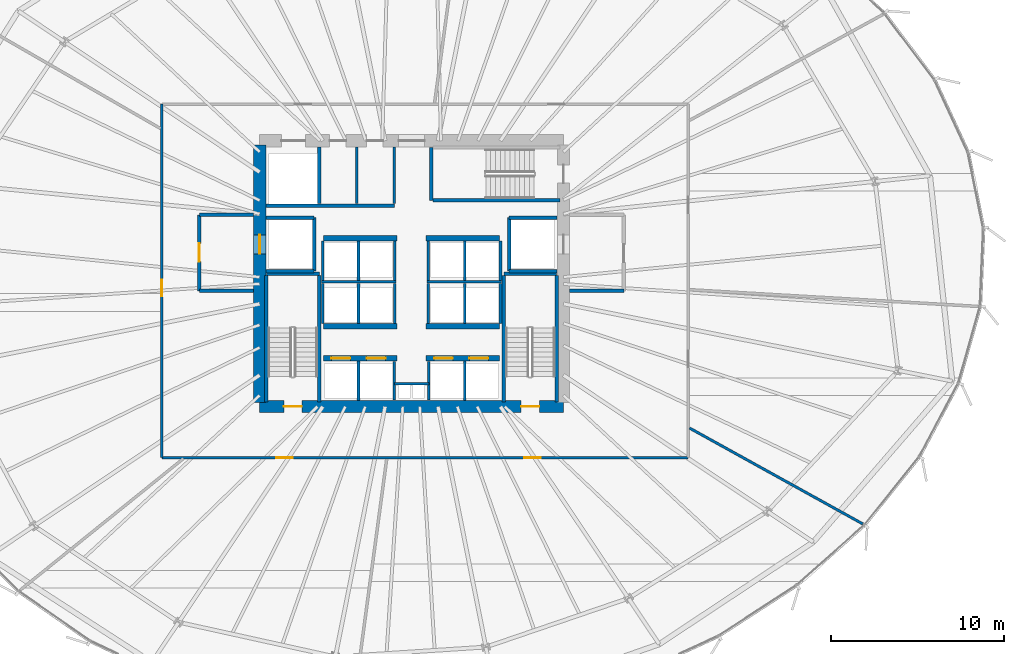
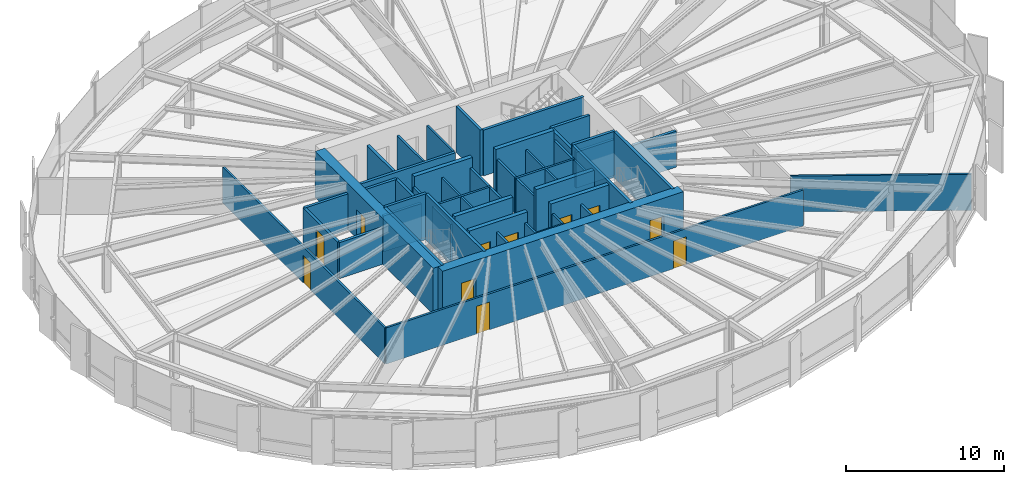
# One storey, part 30 of 37: 52 walls, 11 doors, 11 openings.
"""IFC4 building model written with IfcOpenShell, lengths in metres."""

from ifc_helpers import new_model, si_unit, direction, frame, frame_2d, origin, place, context, subcontext, project, spatial, rectangle, extrude, source, transform, mapped, material, layer, layer_set, type_object, element, fill, save


model = new_model("IFC4")

# Units and contexts
model_context = context("Model", 3, precision=1e-05, world=origin(), true_north=direction((0.0, 1.0)))
body_context = subcontext(model_context, "Body", "Model", "MODEL_VIEW")
ifc_project = project(units=[si_unit("LENGTHUNIT", "METRE"), si_unit("AREAUNIT", "SQUARE_METRE"), si_unit("VOLUMEUNIT", "CUBIC_METRE"), si_unit("PLANEANGLEUNIT", "RADIAN"), si_unit("MASSUNIT", "GRAM", prefix="KILO"), si_unit("THERMODYNAMICTEMPERATUREUNIT", "KELVIN")], contexts=[model_context])

# Site, building, storey
site_placement = place(None, origin())
site = spatial("IfcSite", under=ifc_project, at=site_placement, CompositionType="ELEMENT")
building_placement = place(site_placement, origin())
building = spatial("IfcBuilding", under=site, at=building_placement, Name="Kethvar Cultural Tower", CompositionType="ELEMENT")
storey_placement = place(building_placement, frame((0.0, 0.0, 48.60009765625)))
storey = spatial("IfcBuildingStorey", under=building, at=storey_placement, Name="L11", CompositionType="ELEMENT", Elevation=48.60009765625)

# Wall, openings, doors
ifc_material_1 = material(Name="Concrete C60/75", Category="concrete")
ifc_layer_1 = layer(ifc_material_1, 0.699951171875, Name="Concrete C60/75", Category="concrete")
ifc_layer_set_1 = layer_set([ifc_layer_1], Name="Concrete C60/75 (700 mm)")
wall_type_1 = type_object("IfcWallType", Name="WL-CORE-700", PredefinedType="SHEAR", material=ifc_layer_set_1)
wall_1_placement = place(storey_placement, frame((38.0, 20.10009765625, 0.0), z_axis=(0.0, 0.0, 1.0), x_axis=(1.0, 0.0, 0.0)))
wall_1 = element("IfcWall", 1, at=wall_1_placement, inside=storey, type_object=wall_type_1, Name="L11 Core Shear Wall S", PredefinedType="SHEAR", context=body_context, shape_type="SweptSolid", body=[
    extrude(rectangle(XDim=17.60009765625, YDim=0.699951171875, at=frame_2d((8.800048828125, 0.0))), origin(), (0.0, 0.0, 1.0), 3.5498046875),
])
opening_1_placement = place(wall_1_placement, frame((1.39990234375, 0.0, 0.0)))
opening_1 = element("IfcOpeningElement", 2, at=opening_1_placement, cuts=wall_1, Name="Opening D-L11-S1", PredefinedType="OPENING", context=body_context, shape_type="SweptSolid", body=[
    extrude(rectangle(XDim=1.050048828125, YDim=2.14990234375, at=frame_2d((0.52490234375, 1.074951171875))), frame((0.0, 0.35986328125, 0.0), z_axis=(0.0, -1.0, 0.0), x_axis=(1.0, 0.0, 0.0)), (0.0, 0.0, 1.0), 0.719970703125),
])
opening_2_placement = place(wall_1_placement, frame((15.14990234375, 0.0, 0.0)))
opening_2 = element("IfcOpeningElement", 3, at=opening_2_placement, cuts=wall_1, Name="Opening D-L11-ST2", PredefinedType="OPENING", context=body_context, shape_type="SweptSolid", body=[
    extrude(rectangle(XDim=1.050048828125, YDim=2.14990234375, at=frame_2d((0.52490234375, 1.074951171875))), frame((0.0, 0.35986328125, 0.0), z_axis=(0.0, -1.0, 0.0), x_axis=(1.0, 0.0, 0.0)), (0.0, 0.0, 1.0), 0.719970703125),
])
ifc_material_2 = material(Name="Steel S355J2", Category="steel")
door_type_1 = type_object("IfcDoorType", Name="DR-FD60-1050", OperationType="NOTDEFINED", PredefinedType="DOOR", material=ifc_material_2)
shared_shape_1 = source(origin(), body_context, "Body", "SweptSolid", [
    extrude(rectangle(XDim=1.050048828125, YDim=2.14990234375, at=frame_2d((0.52490234375, 1.074951171875))), frame((0.0, 0.02490234375, 0.0), z_axis=(0.0, -1.0, 0.0), x_axis=(1.0, 0.0, 0.0)), (0.0, 0.0, 1.0), 0.050048828125),
])
door_1_placement = place(opening_1_placement, origin())
door_1 = element("IfcDoor", 4, at=door_1_placement, inside=storey, type_object=door_type_1, Name="L11 Exit Stair 1 Door", OperationType="SINGLE_SWING_LEFT", OverallHeight=2.14990234375, OverallWidth=1.050048828125, PredefinedType="DOOR", context=body_context, shape_type="MappedRepresentation", body=[
    mapped(shared_shape_1, transform((0.0, 0.0, 0.0), scale=1.0)),
])
fill(opening_1, door_1)
door_2_placement = place(opening_2_placement, origin())
door_2 = element("IfcDoor", 5, at=door_2_placement, inside=storey, type_object=door_type_1, Name="L11 Exit Stair 2 Door", OperationType="SINGLE_SWING_RIGHT", OverallHeight=2.14990234375, OverallWidth=1.050048828125, PredefinedType="DOOR", context=body_context, shape_type="MappedRepresentation", body=[
    mapped(shared_shape_1, transform((0.0, 0.0, 0.0), scale=1.0)),
])
fill(opening_2, door_2)

# Wall, opening, door
wall_2_placement = place(storey_placement, frame((38.0, 35.260009765625, 0.0), z_axis=(0.0, 0.0, 1.0), x_axis=(0.0, -1.0, 0.0)))
wall_2 = element("IfcWall", 6, at=wall_2_placement, inside=storey, type_object=wall_type_1, Name="L11 Core Shear Wall W", PredefinedType="SHEAR", context=body_context, shape_type="SweptSolid", body=[
    extrude(rectangle(XDim=14.919921875, YDim=0.699951171875, at=frame_2d((7.4599609375, 0.0))), origin(), (0.0, 0.0, 1.0), 3.5498046875),
])
opening_3_placement = place(wall_2_placement, frame((5.2099609375, 0.0, 0.0)))
opening_3 = element("IfcOpeningElement", 7, at=opening_3_placement, cuts=wall_2, Name="Opening LD-1", PredefinedType="OPENING", context=body_context, shape_type="SweptSolid", body=[
    extrude(rectangle(XDim=1.10009765625, YDim=2.199951171875, at=frame_2d((0.550048828125, 1.10009765625))), frame((0.0, 0.35986328125, 0.0), z_axis=(0.0, -1.0, 0.0), x_axis=(1.0, 0.0, 0.0)), (0.0, 0.0, 1.0), 0.719970703125),
])
door_type_2 = type_object("IfcDoorType", Name="DR-LIFT-SLIDE-1100", OperationType="NOTDEFINED", PredefinedType="DOOR", material=ifc_material_2)
shared_shape_2 = source(origin(), body_context, "Body", "SweptSolid", [
    extrude(rectangle(XDim=1.10009765625, YDim=2.199951171875, at=frame_2d((0.550048828125, 1.10009765625))), frame((0.0, 0.02490234375, 0.0), z_axis=(0.0, -1.0, 0.0), x_axis=(1.0, 0.0, 0.0)), (0.0, 0.0, 1.0), 0.050048828125),
])
door_3_placement = place(opening_3_placement, origin())
door_3 = element("IfcDoor", 8, at=door_3_placement, inside=storey, type_object=door_type_2, Name="L11 Firefighting Lift Landing Door FFL-01", OperationType="SLIDING_TO_LEFT", OverallHeight=2.199951171875, OverallWidth=1.10009765625, PredefinedType="DOOR", context=body_context, shape_type="MappedRepresentation", body=[
    mapped(shared_shape_2, transform((0.0, 0.0, 0.0), scale=1.0)),
])
fill(opening_3, door_3)

# Walls
ifc_material_3 = material(Name="Gypsum Fireboard Partition")
ifc_layer_2 = layer(ifc_material_3, 0.14990234375, Name="Gypsum Fireboard Partition")
ifc_layer_set_2 = layer_set([ifc_layer_2], Name="Gypsum Fireboard Partition (150 mm)")
wall_type_2 = type_object("IfcWallType", Name="WL-FIRE-150", PredefinedType="PARTITIONING", material=ifc_layer_set_2)
wall_3_placement = place(storey_placement, frame((45.800048828125, 21.419921875, 0.0), z_axis=(0.0, 0.0, 1.0), x_axis=(1.0, 0.0, 0.0)))
element("IfcWall", 9, at=wall_3_placement, inside=storey, type_object=wall_type_2, Name="L11 Core Riser Wall", PredefinedType="PARTITIONING", context=body_context, shape_type="SweptSolid", body=[
    extrude(rectangle(XDim=2.0, YDim=0.14990234375, at=frame_2d((1.0, 0.0))), origin(), (0.0, 0.0, 1.0), 2.784912109375),
])
for number, where, z_axis, x_axis, name in (
    (10, (45.800048828125, 20.47998046875, 0.0), (0.0, 0.0, 1.0), (0.0, 1.0, 0.0), "L11 Core Riser West Wall"),
    (11, (47.800048828125, 20.47998046875, 0.0), (0.0, 0.0, 1.0), (0.0, 1.0, 0.0), "L11 Core Riser East Wall"),
):
    element("IfcWall", number, at=place(storey_placement, frame(where, z_axis=z_axis, x_axis=x_axis)), inside=storey, type_object=wall_type_2, Name=name, PredefinedType="PARTITIONING", context=body_context, shape_type="SweptSolid", body=[
        extrude(rectangle(XDim=2.239990234375, YDim=0.14990234375, at=frame_2d((1.1201171875, 0.0))), origin(), (0.0, 0.0, 1.0), 2.784912109375),
    ])
for number, where, z_axis, x_axis, name in (
    (12, (43.72509765625, 20.4599609375, 0.0), (0.0, 0.0, 1.0), (0.0, 1.0, 0.0), "L11 Low-Rise Lift Shaft Divider W"),
    (13, (49.875, 20.4599609375, 0.0), (0.0, 0.0, 1.0), (0.0, 1.0, 0.0), "L11 Low-Rise Lift Shaft Divider E"),
):
    element("IfcWall", number, at=place(storey_placement, frame(where, z_axis=z_axis, x_axis=x_axis)), inside=storey, type_object=wall_type_2, Name=name, PredefinedType="PARTITIONING", context=body_context, shape_type="SweptSolid", body=[
        extrude(rectangle(XDim=2.27001953125, YDim=0.14990234375, at=frame_2d((1.135009765625, 0.0))), origin(), (0.0, 0.0, 1.0), 2.784912109375),
    ])
wall_4_placement = place(storey_placement, frame((41.580078125, 27.324951171875, 0.0), z_axis=(0.0, 0.0, 1.0), x_axis=(1.0, 0.0, 0.0)))
element("IfcWall", 14, at=wall_4_placement, inside=storey, type_object=wall_type_2, Name="L11 Mid-High Lift Shaft Back Wall W", PredefinedType="PARTITIONING", context=body_context, shape_type="SweptSolid", body=[
    extrude(rectangle(XDim=4.31982421875, YDim=0.14990234375, at=frame_2d((2.159912109375, 0.0))), origin(), (0.0, 0.0, 1.0), 2.784912109375),
])
wall_5_placement = place(storey_placement, frame((47.699951171875, 27.324951171875, 0.0), z_axis=(0.0, 0.0, 1.0), x_axis=(1.0, 0.0, 0.0)))
element("IfcWall", 15, at=wall_5_placement, inside=storey, type_object=wall_type_2, Name="L11 Mid-High Lift Shaft Back Wall E", PredefinedType="PARTITIONING", context=body_context, shape_type="SweptSolid", body=[
    extrude(rectangle(XDim=4.320068359375, YDim=0.14990234375, at=frame_2d((2.16015625, 0.0))), origin(), (0.0, 0.0, 1.0), 2.784912109375),
])
for number, where, z_axis, x_axis, name in (
    (16, (41.64990234375, 24.919921875, 0.0), (0.0, 0.0, 1.0), (0.0, 1.0, 0.0), "L11 Mid-Rise Lift Shaft Outer Wall W"),
    (17, (43.72509765625, 24.919921875, 0.0), (0.0, 0.0, 1.0), (0.0, 1.0, 0.0), "L11 Mid-Rise Lift Shaft Divider W"),
    (18, (45.824951171875, 24.919921875, 0.0), (0.0, 0.0, 1.0), (0.0, 1.0, 0.0), "L11 Mid-Rise Lift Shaft Concourse Wall W"),
    (19, (47.77490234375, 24.919921875, 0.0), (0.0, 0.0, 1.0), (0.0, 1.0, 0.0), "L11 Mid-Rise Lift Shaft Concourse Wall E"),
    (20, (49.875, 24.919921875, 0.0), (0.0, 0.0, 1.0), (0.0, 1.0, 0.0), "L11 Mid-Rise Lift Shaft Divider E"),
    (21, (51.949951171875, 24.919921875, 0.0), (0.0, 0.0, 1.0), (0.0, 1.0, 0.0), "L11 Mid-Rise Lift Shaft Outer Wall E"),
):
    element("IfcWall", number, at=place(storey_placement, frame(where, z_axis=z_axis, x_axis=x_axis)), inside=storey, type_object=wall_type_2, Name=name, PredefinedType="PARTITIONING", context=body_context, shape_type="SweptSolid", body=[
        extrude(rectangle(XDim=2.320068359375, YDim=0.14990234375, at=frame_2d((1.16015625, 0.0))), origin(), (0.0, 0.0, 1.0), 2.784912109375),
    ])
for number, where, z_axis, x_axis, name in (
    (22, (41.64990234375, 27.409912109375, 0.0), (0.0, 0.0, 1.0), (0.0, 1.0, 0.0), "L11 High-Rise Lift Shaft Outer Wall W"),
    (23, (43.72509765625, 27.409912109375, 0.0), (0.0, 0.0, 1.0), (0.0, 1.0, 0.0), "L11 High-Rise Lift Shaft Divider W"),
    (24, (45.824951171875, 27.409912109375, 0.0), (0.0, 0.0, 1.0), (0.0, 1.0, 0.0), "L11 High-Rise Lift Shaft Concourse Wall W"),
    (25, (47.77490234375, 27.409912109375, 0.0), (0.0, 0.0, 1.0), (0.0, 1.0, 0.0), "L11 High-Rise Lift Shaft Concourse Wall E"),
    (26, (49.875, 27.409912109375, 0.0), (0.0, 0.0, 1.0), (0.0, 1.0, 0.0), "L11 High-Rise Lift Shaft Divider E"),
    (27, (51.949951171875, 27.409912109375, 0.0), (0.0, 0.0, 1.0), (0.0, 1.0, 0.0), "L11 High-Rise Lift Shaft Outer Wall E"),
):
    element("IfcWall", number, at=place(storey_placement, frame(where, z_axis=z_axis, x_axis=x_axis)), inside=storey, type_object=wall_type_2, Name=name, PredefinedType="PARTITIONING", context=body_context, shape_type="SweptSolid", body=[
        extrude(rectangle(XDim=2.27001953125, YDim=0.14990234375, at=frame_2d((1.135009765625, 0.0))), origin(), (0.0, 0.0, 1.0), 2.784912109375),
    ])
wall_6_placement = place(storey_placement, frame((45.800048828125, 31.85009765625, 0.0), z_axis=(0.0, 0.0, 1.0), x_axis=(0.0, 1.0, 0.0)))
element("IfcWall", 28, at=wall_6_placement, inside=storey, type_object=wall_type_2, Name="L11 Sanitary Spine Wall", PredefinedType="PARTITIONING", context=body_context, shape_type="SweptSolid", body=[
    extrude(rectangle(XDim=3.289794921875, YDim=0.14990234375, at=frame_2d((1.64501953125, 0.0))), origin(), (0.0, 0.0, 1.0), 2.784912109375),
])

# Wall, openings, doors
wall_7_placement = place(storey_placement, frame((32.330078125, 17.139892578125, 0.0), z_axis=(0.0, 0.0, 1.0), x_axis=(1.0, 0.0, 0.0)))
wall_7 = element("IfcWall", 29, at=wall_7_placement, inside=storey, type_object=wall_type_2, Name="L11 Corridor Rated Wall S", PredefinedType="PARTITIONING", context=body_context, shape_type="SweptSolid", body=[
    extrude(rectangle(XDim=30.5, YDim=0.14990234375, at=frame_2d((15.25, 0.0))), origin(), (0.0, 0.0, 1.0), 2.784912109375),
])
opening_4_placement = place(wall_7_placement, frame((6.62109375, 0.0, 0.0)))
opening_4 = element("IfcOpeningElement", 30, at=opening_4_placement, cuts=wall_7, Name="Opening D-L11-01", PredefinedType="OPENING", context=body_context, shape_type="SweptSolid", body=[
    extrude(rectangle(XDim=0.949951171875, YDim=2.14990234375, at=frame_2d((0.47509765625, 1.074951171875))), frame((0.0, 0.0849609375, 0.0), z_axis=(0.0, -1.0, 0.0), x_axis=(1.0, 0.0, 0.0)), (0.0, 0.0, 1.0), 0.169921875),
])
opening_5_placement = place(wall_7_placement, frame((21.00390625, 0.0, 0.0)))
opening_5 = element("IfcOpeningElement", 31, at=opening_5_placement, cuts=wall_7, Name="Opening D-L11-02", PredefinedType="OPENING", context=body_context, shape_type="SweptSolid", body=[
    extrude(rectangle(XDim=0.949951171875, YDim=2.14990234375, at=frame_2d((0.47509765625, 1.074951171875))), frame((0.0, 0.0849609375, 0.0), z_axis=(0.0, -1.0, 0.0), x_axis=(1.0, 0.0, 0.0)), (0.0, 0.0, 1.0), 0.169921875),
])
ifc_material_4 = material(Name="Architectural Oak Timber", Category="wood")
door_type_3 = type_object("IfcDoorType", Name="DR-FD30-950", OperationType="NOTDEFINED", PredefinedType="DOOR", material=ifc_material_4)
shared_shape_3 = source(origin(), body_context, "Body", "SweptSolid", [
    extrude(rectangle(XDim=0.949951171875, YDim=2.14990234375, at=frame_2d((0.47509765625, 1.074951171875))), frame((0.0, 0.02490234375, 0.0), z_axis=(0.0, -1.0, 0.0), x_axis=(1.0, 0.0, 0.0)), (0.0, 0.0, 1.0), 0.050048828125),
])
door_4_placement = place(opening_4_placement, origin())
door_4 = element("IfcDoor", 32, at=door_4_placement, inside=storey, type_object=door_type_3, Name="L11 Institutional Tenant Office 01 Door", OperationType="SINGLE_SWING_RIGHT", OverallHeight=2.14990234375, OverallWidth=0.949951171875, PredefinedType="DOOR", context=body_context, shape_type="MappedRepresentation", body=[
    mapped(shared_shape_3, transform((0.0, 0.0, 0.0), scale=1.0)),
])
fill(opening_4, door_4)
door_5_placement = place(opening_5_placement, origin())
door_5 = element("IfcDoor", 33, at=door_5_placement, inside=storey, type_object=door_type_3, Name="L11 Editorial Partner Office 02 Door", OperationType="SINGLE_SWING_LEFT", OverallHeight=2.14990234375, OverallWidth=0.949951171875, PredefinedType="DOOR", context=body_context, shape_type="MappedRepresentation", body=[
    mapped(shared_shape_3, transform((0.0, 0.0, 0.0), scale=1.0)),
])
fill(opening_5, door_5)

# Wall, opening, door
wall_8_placement = place(storey_placement, frame((32.330078125, 37.6201171875, 0.0), z_axis=(0.0, 0.0, 1.0), x_axis=(0.0, -1.0, 0.0)))
wall_8 = element("IfcWall", 34, at=wall_8_placement, inside=storey, type_object=wall_type_2, Name="L11 Corridor Rated Wall W", PredefinedType="PARTITIONING", context=body_context, shape_type="SweptSolid", body=[
    extrude(rectangle(XDim=20.480224609375, YDim=0.14990234375, at=frame_2d((10.240234375, 0.0))), origin(), (0.0, 0.0, 1.0), 2.784912109375),
])
opening_6_placement = place(wall_8_placement, frame((10.182373046875, 0.0, 0.0)))
opening_6 = element("IfcOpeningElement", 35, at=opening_6_placement, cuts=wall_8, Name="Opening D-L11-07", PredefinedType="OPENING", context=body_context, shape_type="SweptSolid", body=[
    extrude(rectangle(XDim=0.949951171875, YDim=2.14990234375, at=frame_2d((0.47509765625, 1.074951171875))), frame((0.0, 0.0849609375, 0.0), z_axis=(0.0, -1.0, 0.0), x_axis=(1.0, 0.0, 0.0)), (0.0, 0.0, 1.0), 0.169921875),
])
door_6_placement = place(opening_6_placement, origin())
door_6 = element("IfcDoor", 36, at=door_6_placement, inside=storey, type_object=door_type_3, Name="L11 Curatorial Concierge Foyer 07 Door", OperationType="SINGLE_SWING_RIGHT", OverallHeight=2.14990234375, OverallWidth=0.949951171875, PredefinedType="DOOR", context=body_context, shape_type="MappedRepresentation", body=[
    mapped(shared_shape_3, transform((0.0, 0.0, 0.0), scale=1.0)),
])
fill(opening_6, door_6)

# Walls
ifc_material_5 = material(Name="Concrete C40/50", Category="concrete")
ifc_layer_3 = layer(ifc_material_5, 0.199951171875, Name="Concrete C40/50", Category="concrete")
ifc_layer_set_3 = layer_set([ifc_layer_3], Name="Concrete C40/50 (200 mm)")
wall_type_3 = type_object("IfcWallType", Name="WL-FIRE-200", PredefinedType="PARTITIONING", material=ifc_layer_set_3)
wall_9_placement = place(storey_placement, frame((41.14990234375, 27.949951171875, 0.0), z_axis=(0.0, 0.0, 1.0), x_axis=(0.0, 1.0, 0.0)))
element("IfcWall", 37, at=wall_9_placement, inside=storey, type_object=wall_type_3, Name="L11 FFL-01 Shaft Inner Wall", PredefinedType="PARTITIONING", context=body_context, shape_type="SweptSolid", body=[
    extrude(rectangle(XDim=3.10009765625, YDim=0.199951171875, at=frame_2d((1.550048828125, 0.0))), origin(), (0.0, 0.0, 1.0), 2.784912109375),
])
for number, where, z_axis, x_axis, name in (
    (38, (38.360107421875, 27.949951171875, 0.0), (0.0, 0.0, 1.0), (1.0, 0.0, 0.0), "L11 FFL-01 Shaft South Wall"),
    (39, (38.360107421875, 31.050048828125, 0.0), (0.0, 0.0, 1.0), (1.0, 0.0, 0.0), "L11 FFL-01 Shaft North Wall"),
):
    element("IfcWall", number, at=place(storey_placement, frame(where, z_axis=z_axis, x_axis=x_axis)), inside=storey, type_object=wall_type_3, Name=name, PredefinedType="PARTITIONING", context=body_context, shape_type="SweptSolid", body=[
        extrude(rectangle(XDim=2.789794921875, YDim=0.199951171875, at=frame_2d((1.39501953125, 0.0))), origin(), (0.0, 0.0, 1.0), 2.784912109375),
    ])

# Wall, opening, door
wall_10_placement = place(storey_placement, frame((34.5, 31.199951171875, 0.0), z_axis=(0.0, 0.0, 1.0), x_axis=(0.0, -1.0, 0.0)))
wall_10 = element("IfcWall", 40, at=wall_10_placement, inside=storey, type_object=wall_type_3, Name="L11 Firefighting Lobby 1 Wall", PredefinedType="PARTITIONING", context=body_context, shape_type="SweptSolid", body=[
    extrude(rectangle(XDim=4.39990234375, YDim=0.199951171875, at=frame_2d((2.199951171875, 0.0))), origin(), (0.0, 0.0, 1.0), 2.784912109375),
])
opening_7_placement = place(wall_10_placement, frame((1.64990234375, 0.0, 0.0)))
opening_7 = element("IfcOpeningElement", 41, at=opening_7_placement, cuts=wall_10, Name="Opening D-L11-F1", PredefinedType="OPENING", context=body_context, shape_type="SweptSolid", body=[
    extrude(rectangle(XDim=1.050048828125, YDim=2.14990234375, at=frame_2d((0.52490234375, 1.074951171875))), frame((0.0, 0.10986328125, 0.0), z_axis=(0.0, -1.0, 0.0), x_axis=(1.0, 0.0, 0.0)), (0.0, 0.0, 1.0), 0.219970703125),
])
door_7_placement = place(opening_7_placement, origin())
door_7 = element("IfcDoor", 42, at=door_7_placement, inside=storey, type_object=door_type_1, Name="L11 Firefighting Lobby 1 Fire Door", OperationType="SINGLE_SWING_LEFT", OverallHeight=2.14990234375, OverallWidth=1.050048828125, PredefinedType="DOOR", context=body_context, shape_type="MappedRepresentation", body=[
    mapped(shared_shape_1, transform((0.0, 0.0, 0.0), scale=1.0)),
])
fill(opening_7, door_7)

# Walls
for number, where, z_axis, x_axis, name in (
    (43, (34.5, 26.800048828125, 0.0), (0.0, 0.0, 1.0), (1.0, 0.0, 0.0), "L11 FF Lobby 1 South Wall"),
    (44, (34.5, 31.199951171875, 0.0), (0.0, 0.0, 1.0), (1.0, 0.0, 0.0), "L11 FF Lobby 1 North Wall"),
):
    element("IfcWall", number, at=place(storey_placement, frame(where, z_axis=z_axis, x_axis=x_axis)), inside=storey, type_object=wall_type_3, Name=name, PredefinedType="PARTITIONING", context=body_context, shape_type="SweptSolid", body=[
        extrude(rectangle(XDim=3.139892578125, YDim=0.199951171875, at=frame_2d((1.56982421875, 0.0))), origin(), (0.0, 0.0, 1.0), 2.784912109375),
    ])
wall_11_placement = place(storey_placement, frame((52.449951171875, 27.949951171875, 0.0), z_axis=(0.0, 0.0, 1.0), x_axis=(0.0, 1.0, 0.0)))
element("IfcWall", 45, at=wall_11_placement, inside=storey, type_object=wall_type_3, Name="L11 FFL-02 Shaft Inner Wall", PredefinedType="PARTITIONING", context=body_context, shape_type="SweptSolid", body=[
    extrude(rectangle(XDim=3.10009765625, YDim=0.199951171875, at=frame_2d((1.550048828125, 0.0))), origin(), (0.0, 0.0, 1.0), 2.784912109375),
])
for number, where, z_axis, x_axis, name in (
    (46, (52.449951171875, 27.949951171875, 0.0), (0.0, 0.0, 1.0), (1.0, 0.0, 0.0), "L11 FFL-02 Shaft South Wall"),
    (47, (52.449951171875, 31.050048828125, 0.0), (0.0, 0.0, 1.0), (1.0, 0.0, 0.0), "L11 FFL-02 Shaft North Wall"),
):
    element("IfcWall", number, at=place(storey_placement, frame(where, z_axis=z_axis, x_axis=x_axis)), inside=storey, type_object=wall_type_3, Name=name, PredefinedType="PARTITIONING", context=body_context, shape_type="SweptSolid", body=[
        extrude(rectangle(XDim=2.7900390625, YDim=0.199951171875, at=frame_2d((1.39501953125, 0.0))), origin(), (0.0, 0.0, 1.0), 2.784912109375),
    ])
wall_12_placement = place(storey_placement, frame((55.9599609375, 26.800048828125, 0.0), z_axis=(0.0, 0.0, 1.0), x_axis=(1.0, 0.0, 0.0)))
element("IfcWall", 48, at=wall_12_placement, inside=storey, type_object=wall_type_3, Name="L11 FF Lobby 2 South Wall", PredefinedType="PARTITIONING", context=body_context, shape_type="SweptSolid", body=[
    extrude(rectangle(XDim=3.14013671875, YDim=0.199951171875, at=frame_2d((1.570068359375, 0.0))), origin(), (0.0, 0.0, 1.0), 2.784912109375),
])
wall_13_placement = place(storey_placement, frame((41.449951171875, 31.85009765625, 0.0), z_axis=(0.0, 0.0, 1.0), x_axis=(0.0, 1.0, 0.0)))
element("IfcWall", 49, at=wall_13_placement, inside=storey, type_object=wall_type_3, Name="L11 NW Core Pocket Wall", PredefinedType="PARTITIONING", context=body_context, shape_type="SweptSolid", body=[
    extrude(rectangle(XDim=3.289794921875, YDim=0.199951171875, at=frame_2d((1.64501953125, 0.0))), origin(), (0.0, 0.0, 1.0), 2.784912109375),
])
wall_14_placement = place(storey_placement, frame((38.360107421875, 31.72998046875, 0.0), z_axis=(0.0, 0.0, 1.0), x_axis=(1.0, 0.0, 0.0)))
element("IfcWall", 50, at=wall_14_placement, inside=storey, type_object=wall_type_3, Name="L11 North Core Sanitary South Wall", PredefinedType="PARTITIONING", context=body_context, shape_type="SweptSolid", body=[
    extrude(rectangle(XDim=7.43994140625, YDim=0.199951171875, at=frame_2d((3.719970703125, 0.0))), origin(), (0.0, 0.0, 1.0), 2.784912109375),
])
ifc_material_6 = material(Name="Gypsum Acoustic Partition")
ifc_layer_4 = layer(ifc_material_6, 0.14990234375, Name="Gypsum Acoustic Partition")
ifc_layer_set_4 = layer_set([ifc_layer_4], Name="Gypsum Acoustic Partition (150 mm)")
wall_type_4 = type_object("IfcWallType", Name="WL-PART-150", PredefinedType="PARTITIONING", material=ifc_layer_set_4)
wall_15_placement = place(storey_placement, frame((62.89990234375, 18.85595703125, 0.0), z_axis=(0.0, 0.0, 1.0), x_axis=(0.875005487699, -0.484112999719, 0.0)))
element("IfcWall", 51, at=wall_15_placement, inside=storey, type_object=wall_type_4, Name="L11 Radial Partition Wall 03", PredefinedType="PARTITIONING", context=body_context, shape_type="SweptSolid", body=[
    extrude(rectangle(XDim=11.4814453125, YDim=0.14990234375, at=frame_2d((5.74072265625, 0.0))), origin(), (0.0, 0.0, 1.0), 2.784912109375),
])
ifc_material_7 = material(Name="Moisture-Resistant Sanitary Chase Wall")
ifc_layer_5 = layer(ifc_material_7, 0.14990234375, Name="Moisture-Resistant Sanitary Chase Wall")
ifc_layer_set_5 = layer_set([ifc_layer_5], Name="Moisture-Resistant Sanitary Chase Wall (150 mm)")
wall_type_5 = type_object("IfcWallType", Name="WL-PLUMB-150", PredefinedType="PLUMBINGWALL", material=ifc_layer_set_5)
wall_16_placement = place(storey_placement, frame((43.6201171875, 31.85009765625, 0.0), z_axis=(0.0, 0.0, 1.0), x_axis=(0.0, 1.0, 0.0)))
element("IfcWall", 52, at=wall_16_placement, inside=storey, type_object=wall_type_5, Name="L11 Sanitary Plumbing Wall", PredefinedType="PLUMBINGWALL", context=body_context, shape_type="SweptSolid", body=[
    extrude(rectangle(XDim=3.289794921875, YDim=0.14990234375, at=frame_2d((1.64501953125, 0.0))), origin(), (0.0, 0.0, 1.0), 2.784912109375),
])

# Wall, openings, doors
ifc_material_8 = material(Name="Concrete C50/60", Category="concrete")
ifc_layer_6 = layer(ifc_material_8, 0.300048828125, Name="Concrete C50/60", Category="concrete")
ifc_layer_set_6 = layer_set([ifc_layer_6], Name="Concrete C50/60 (300 mm)")
wall_type_6 = type_object("IfcWallType", Name="WL-SHAFT-300", PredefinedType="SHEAR", material=ifc_layer_set_6)
wall_17_placement = place(storey_placement, frame((41.699951171875, 22.89990234375, 0.0), z_axis=(0.0, 0.0, 1.0), x_axis=(1.0, 0.0, 0.0)))
wall_17 = element("IfcWall", 53, at=wall_17_placement, inside=storey, type_object=wall_type_6, Name="L11 Core Lift Spine Wall MID1W", PredefinedType="SHEAR", context=body_context, shape_type="SweptSolid", body=[
    extrude(rectangle(XDim=4.25, YDim=0.300048828125, at=frame_2d((2.125, 0.0))), origin(), (0.0, 0.0, 1.0), 3.5498046875),
])
opening_8_placement = place(wall_17_placement, frame((0.449951171875, 0.0, 0.0)))
opening_8 = element("IfcOpeningElement", 54, at=opening_8_placement, cuts=wall_17, Name="Opening LD-L1", PredefinedType="OPENING", context=body_context, shape_type="SweptSolid", body=[
    extrude(rectangle(XDim=1.10009765625, YDim=2.199951171875, at=frame_2d((0.550048828125, 1.10009765625))), frame((0.0, 0.159912109375, 0.0), z_axis=(0.0, -1.0, 0.0), x_axis=(1.0, 0.0, 0.0)), (0.0, 0.0, 1.0), 0.320068359375),
])
opening_9_placement = place(wall_17_placement, frame((2.5, 0.0, 0.0)))
opening_9 = element("IfcOpeningElement", 55, at=opening_9_placement, cuts=wall_17, Name="Opening LD-L2", PredefinedType="OPENING", context=body_context, shape_type="SweptSolid", body=[
    extrude(rectangle(XDim=1.10009765625, YDim=2.199951171875, at=frame_2d((0.550048828125, 1.10009765625))), frame((0.0, 0.159912109375, 0.0), z_axis=(0.0, -1.0, 0.0), x_axis=(1.0, 0.0, 0.0)), (0.0, 0.0, 1.0), 0.320068359375),
])
door_8_placement = place(opening_8_placement, origin())
door_8 = element("IfcDoor", 56, at=door_8_placement, inside=storey, type_object=door_type_2, Name="L11 Low-Rise Lift Landing Door L1", OperationType="SLIDING_TO_LEFT", OverallHeight=2.199951171875, OverallWidth=1.10009765625, PredefinedType="DOOR", context=body_context, shape_type="MappedRepresentation", body=[
    mapped(shared_shape_2, transform((0.0, 0.0, 0.0), scale=1.0)),
])
fill(opening_8, door_8)
door_9_placement = place(opening_9_placement, origin())
door_9 = element("IfcDoor", 57, at=door_9_placement, inside=storey, type_object=door_type_2, Name="L11 Low-Rise Lift Landing Door L2", OperationType="SLIDING_TO_LEFT", OverallHeight=2.199951171875, OverallWidth=1.10009765625, PredefinedType="DOOR", context=body_context, shape_type="MappedRepresentation", body=[
    mapped(shared_shape_2, transform((0.0, 0.0, 0.0), scale=1.0)),
])
fill(opening_9, door_9)

wall_18_placement = place(storey_placement, frame((47.64990234375, 22.89990234375, 0.0), z_axis=(0.0, 0.0, 1.0), x_axis=(1.0, 0.0, 0.0)))
wall_18 = element("IfcWall", 58, at=wall_18_placement, inside=storey, type_object=wall_type_6, Name="L11 Core Lift Spine Wall MID1E", PredefinedType="SHEAR", context=body_context, shape_type="SweptSolid", body=[
    extrude(rectangle(XDim=4.25, YDim=0.300048828125, at=frame_2d((2.125, 0.0))), origin(), (0.0, 0.0, 1.0), 3.5498046875),
])
opening_10_placement = place(wall_18_placement, frame((0.449951171875, 0.0, 0.0)))
opening_10 = element("IfcOpeningElement", 59, at=opening_10_placement, cuts=wall_18, Name="Opening LD-L3", PredefinedType="OPENING", context=body_context, shape_type="SweptSolid", body=[
    extrude(rectangle(XDim=1.10009765625, YDim=2.199951171875, at=frame_2d((0.550048828125, 1.10009765625))), frame((0.0, 0.159912109375, 0.0), z_axis=(0.0, -1.0, 0.0), x_axis=(1.0, 0.0, 0.0)), (0.0, 0.0, 1.0), 0.320068359375),
])
opening_11_placement = place(wall_18_placement, frame((2.5, 0.0, 0.0)))
opening_11 = element("IfcOpeningElement", 60, at=opening_11_placement, cuts=wall_18, Name="Opening LD-L4", PredefinedType="OPENING", context=body_context, shape_type="SweptSolid", body=[
    extrude(rectangle(XDim=1.10009765625, YDim=2.199951171875, at=frame_2d((0.550048828125, 1.10009765625))), frame((0.0, 0.159912109375, 0.0), z_axis=(0.0, -1.0, 0.0), x_axis=(1.0, 0.0, 0.0)), (0.0, 0.0, 1.0), 0.320068359375),
])
door_10_placement = place(opening_10_placement, origin())
door_10 = element("IfcDoor", 61, at=door_10_placement, inside=storey, type_object=door_type_2, Name="L11 Low-Rise Lift Landing Door L3", OperationType="SLIDING_TO_LEFT", OverallHeight=2.199951171875, OverallWidth=1.10009765625, PredefinedType="DOOR", context=body_context, shape_type="MappedRepresentation", body=[
    mapped(shared_shape_2, transform((0.0, 0.0, 0.0), scale=1.0)),
])
fill(opening_10, door_10)
door_11_placement = place(opening_11_placement, origin())
door_11 = element("IfcDoor", 62, at=door_11_placement, inside=storey, type_object=door_type_2, Name="L11 Low-Rise Lift Landing Door L4", OperationType="SLIDING_TO_LEFT", OverallHeight=2.199951171875, OverallWidth=1.10009765625, PredefinedType="DOOR", context=body_context, shape_type="MappedRepresentation", body=[
    mapped(shared_shape_2, transform((0.0, 0.0, 0.0), scale=1.0)),
])
fill(opening_11, door_11)

# Walls
for number, where, z_axis, x_axis, name in (
    (63, (41.699951171875, 24.75, 0.0), (0.0, 0.0, 1.0), (1.0, 0.0, 0.0), "L11 Core Lift Spine Wall MID2W"),
    (64, (47.64990234375, 24.75, 0.0), (0.0, 0.0, 1.0), (1.0, 0.0, 0.0), "L11 Core Lift Spine Wall MID2E"),
    (65, (41.699951171875, 29.85009765625, 0.0), (0.0, 0.0, 1.0), (1.0, 0.0, 0.0), "L11 Core Lift Spine Wall MID3W"),
    (66, (47.64990234375, 29.85009765625, 0.0), (0.0, 0.0, 1.0), (1.0, 0.0, 0.0), "L11 Core Lift Spine Wall MID3E"),
):
    element("IfcWall", number, at=place(storey_placement, frame(where, z_axis=z_axis, x_axis=x_axis)), inside=storey, type_object=wall_type_6, Name=name, PredefinedType="SHEAR", context=body_context, shape_type="SweptSolid", body=[
        extrude(rectangle(XDim=4.25, YDim=0.300048828125, at=frame_2d((2.125, 0.0))), origin(), (0.0, 0.0, 1.0), 3.5498046875),
    ])
ifc_layer_7 = layer(ifc_material_8, 0.199951171875, Name="Concrete C50/60", Category="concrete")
ifc_layer_set_7 = layer_set([ifc_layer_7], Name="Concrete C50/60 (200 mm)")
wall_type_7 = type_object("IfcWallType", Name="WL-STSHAFT-200", PredefinedType="SHEAR", material=ifc_layer_set_7)
wall_19_placement = place(storey_placement, frame((38.389892578125, 27.800048828125, 0.0), z_axis=(0.0, 0.0, 1.0), x_axis=(1.0, 0.0, 0.0)))
element("IfcWall", 67, at=wall_19_placement, inside=storey, type_object=wall_type_7, Name="L11 ST-01 Stair Shaft Wall FAR", PredefinedType="SHEAR", context=body_context, shape_type="SweptSolid", body=[
    extrude(rectangle(XDim=3.06005859375, YDim=0.199951171875, at=frame_2d((1.530029296875, 0.0))), origin(), (0.0, 0.0, 1.0), 3.5498046875),
])
for number, where, z_axis, x_axis, name in (
    (68, (41.449951171875, 27.699951171875, 0.0), (0.0, 0.0, 1.0), (0.0, -1.0, 0.0), "L11 ST-01 Stair Shaft Wall LEFT"),
    (69, (38.389892578125, 20.35009765625, 0.0), (0.0, 0.0, 1.0), (0.0, 1.0, 0.0), "L11 ST-01 Stair Shaft Wall RIGHT"),
):
    element("IfcWall", number, at=place(storey_placement, frame(where, z_axis=z_axis, x_axis=x_axis)), inside=storey, type_object=wall_type_7, Name=name, PredefinedType="SHEAR", context=body_context, shape_type="SweptSolid", body=[
        extrude(rectangle(XDim=7.349853515625, YDim=0.199951171875, at=frame_2d((3.6748046875, 0.0))), origin(), (0.0, 0.0, 1.0), 3.5498046875),
    ])
wall_20_placement = place(storey_placement, frame((52.14990234375, 27.800048828125, 0.0), z_axis=(0.0, 0.0, 1.0), x_axis=(1.0, 0.0, 0.0)))
element("IfcWall", 70, at=wall_20_placement, inside=storey, type_object=wall_type_7, Name="L11 ST-02 Stair Shaft Wall FAR", PredefinedType="SHEAR", context=body_context, shape_type="SweptSolid", body=[
    extrude(rectangle(XDim=3.06005859375, YDim=0.199951171875, at=frame_2d((1.530029296875, 0.0))), origin(), (0.0, 0.0, 1.0), 3.5498046875),
])
for number, where, z_axis, x_axis, name in (
    (71, (55.2099609375, 27.699951171875, 0.0), (0.0, 0.0, 1.0), (0.0, -1.0, 0.0), "L11 ST-02 Stair Shaft Wall LEFT"),
    (72, (52.14990234375, 20.35009765625, 0.0), (0.0, 0.0, 1.0), (0.0, 1.0, 0.0), "L11 ST-02 Stair Shaft Wall RIGHT"),
):
    element("IfcWall", number, at=place(storey_placement, frame(where, z_axis=z_axis, x_axis=x_axis)), inside=storey, type_object=wall_type_7, Name=name, PredefinedType="SHEAR", context=body_context, shape_type="SweptSolid", body=[
        extrude(rectangle(XDim=7.349853515625, YDim=0.199951171875, at=frame_2d((3.6748046875, 0.0))), origin(), (0.0, 0.0, 1.0), 3.5498046875),
    ])
wall_21_placement = place(storey_placement, frame((47.949951171875, 32.050048828125, 0.0), z_axis=(0.0, 0.0, 1.0), x_axis=(0.0, 1.0, 0.0)))
element("IfcWall", 73, at=wall_21_placement, inside=storey, type_object=wall_type_7, Name="L11 ST-03 Stair Shaft Wall FAR", PredefinedType="SHEAR", context=body_context, shape_type="SweptSolid", body=[
    extrude(rectangle(XDim=3.06005859375, YDim=0.199951171875, at=frame_2d((1.530029296875, 0.0))), origin(), (0.0, 0.0, 1.0), 3.5498046875),
])
wall_22_placement = place(storey_placement, frame((55.39990234375, 32.050048828125, 0.0), z_axis=(0.0, 0.0, 1.0), x_axis=(-1.0, 0.0, 0.0)))
element("IfcWall", 74, at=wall_22_placement, inside=storey, type_object=wall_type_7, Name="L11 ST-03 Stair Shaft Wall RIGHT", PredefinedType="SHEAR", context=body_context, shape_type="SweptSolid", body=[
    extrude(rectangle(XDim=7.349853515625, YDim=0.199951171875, at=frame_2d((3.6748046875, 0.0))), origin(), (0.0, 0.0, 1.0), 3.5498046875),
])

save(model, "model.ifc")
